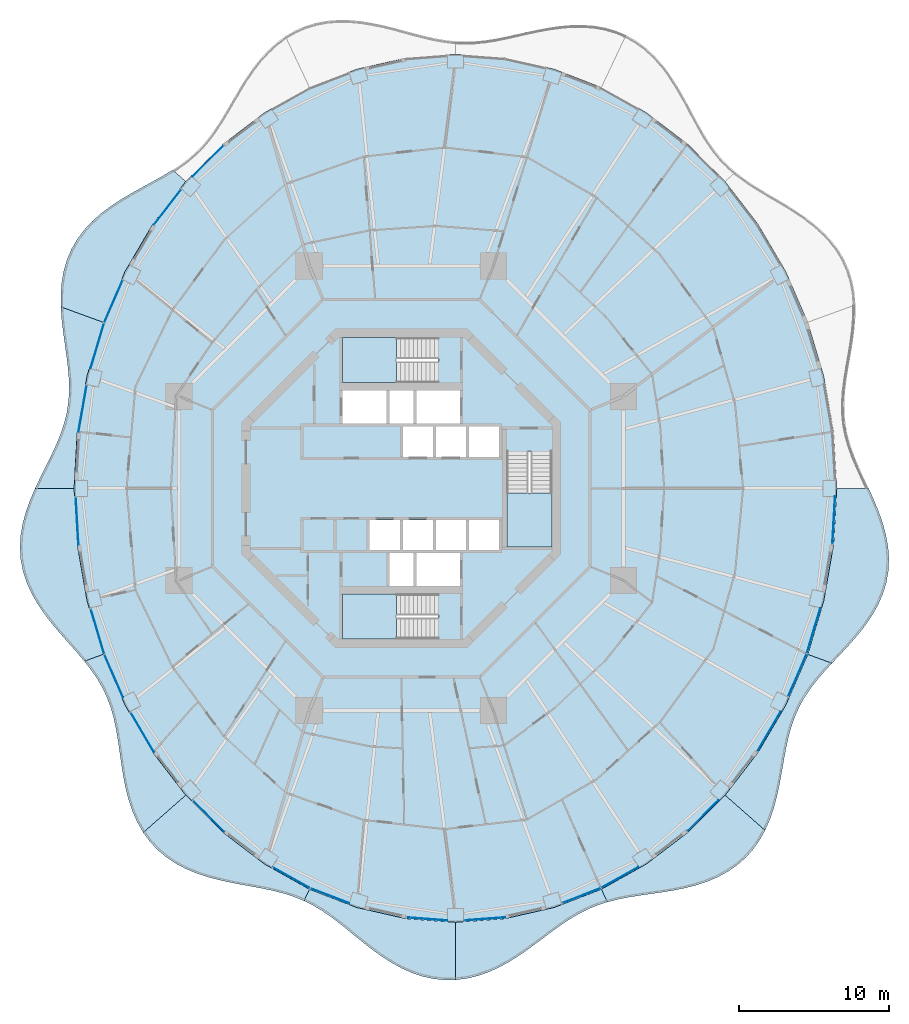
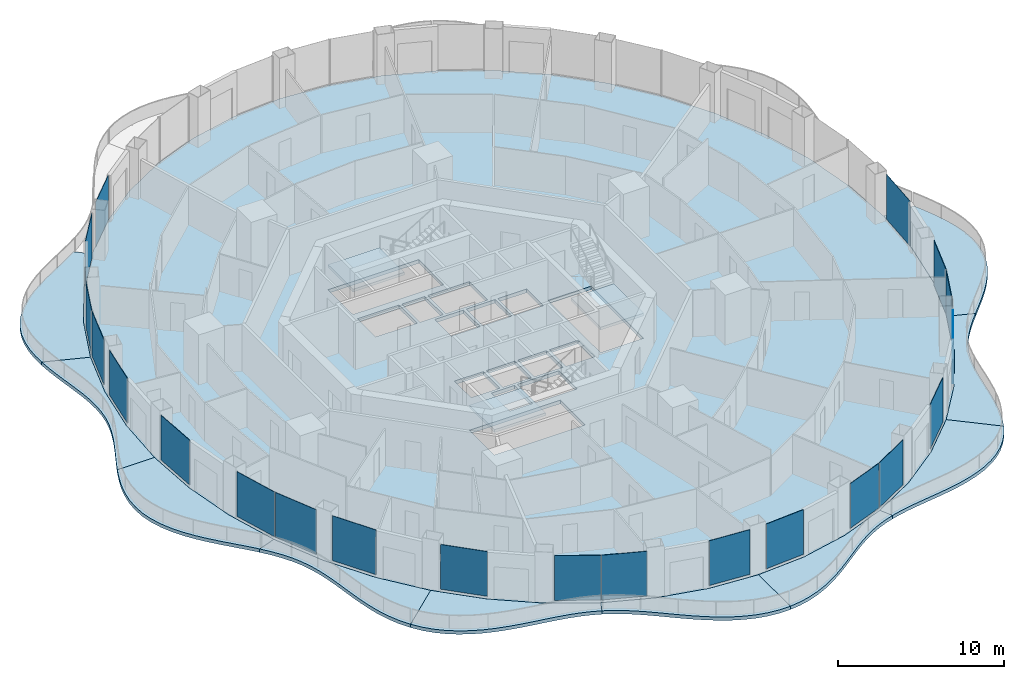
# One storey, part 9 of 19: 21 plates, 14 slabs, 24 elements without a shape of their own.
"""IFC4 building model written with IfcOpenShell, lengths in metres."""

import ifcopenshell
import ifcopenshell.guid

model = None  # the IFC model being written
_history = None  # IfcOwnerHistory: only IFC2X3 demands one
_inside = {}  # id of a spatial element -> (the spatial element, [elements in it])
_under = {}  # id of a project, library or spatial element -> (it, [spatial elements below it])
_declared = {}  # id of a project -> (the project, [libraries it declares])
_typed = {}  # id of a type object -> (the type object, [elements of that type])
_made_of = {}  # id of a material, layer set ... -> (it, [elements and type objects made of it])


def new_model(schema):
    """Start an empty IFC model of exactly this schema.

    Asked for "IFC4X3", IfcOpenShell would pick the latest addendum, in which some entities
    have other attributes; the version numbers below select the first issue.
    IFC2X3 requires an IfcOwnerHistory on every rooted entity: one is made here for all.
    """
    global model, _history
    if schema == "IFC4X3":
        model = ifcopenshell.file(schema_version=(4, 3, 0, 0))
    else:
        model = ifcopenshell.file(schema=schema)
    _inside.clear()
    _under.clear()
    _declared.clear()
    _typed.clear()
    _made_of.clear()
    _history = None
    if model.schema == "IFC2X3":
        org = make("IfcOrganization", Name="unknown")
        user = make(
            "IfcPersonAndOrganization",
            ThePerson=make("IfcPerson", FamilyName="unknown"),
            TheOrganization=org,
        )
        app = make(
            "IfcApplication",
            ApplicationDeveloper=org,
            Version="unknown",
            ApplicationFullName="unknown",
            ApplicationIdentifier="unknown",
        )
        _history = make(
            "IfcOwnerHistory",
            OwningUser=user,
            OwningApplication=app,
            ChangeAction="ADDED",
            CreationDate=0,
        )
    return model


def make(cls, **values):
    """One entity of the class cls with the attributes given. An attribute that is None is left unset."""
    return model.create_entity(
        cls, **{name: value for name, value in values.items() if value is not None}
    )


def rooted(cls, **values):
    """An entity with a GlobalId (a new one), such as an element, a storey or a relation."""
    return make(cls, GlobalId=ifcopenshell.guid.new(), OwnerHistory=_history, **values)


def si_unit(unit_type, name, prefix=None):
    """IfcSIUnit, for example si_unit("LENGTHUNIT", "METRE", prefix="MILLI")."""
    return make("IfcSIUnit", UnitType=unit_type, Prefix=prefix, Name=name)


def assignment(units):
    """IfcUnitAssignment: the units of a project."""
    return None if units is None else make("IfcUnitAssignment", Units=units)


def point(xyz):
    """IfcCartesianPoint."""
    return None if xyz is None else make("IfcCartesianPoint", Coordinates=xyz)


def direction(xyz):
    """IfcDirection."""
    return None if xyz is None else make("IfcDirection", DirectionRatios=xyz)


def frame(location, z_axis=None, x_axis=None):
    """IfcAxis2Placement3D, a coordinate frame: its origin and axes. An axis left out is left unset."""
    return make(
        "IfcAxis2Placement3D",
        Location=point(location),
        Axis=direction(z_axis),
        RefDirection=direction(x_axis),
    )


def frame_2d(location, x_axis=None):
    """IfcAxis2Placement2D, a coordinate frame in the plane: its origin and x axis."""
    return make(
        "IfcAxis2Placement2D", Location=point(location), RefDirection=direction(x_axis)
    )


def origin():
    """The frame at (0, 0, 0) with its axes left unset."""
    return frame((0.0, 0.0, 0.0))


def origin_2d():
    """The frame at (0, 0) in the plane with its x axis left unset."""
    return frame_2d((0.0, 0.0))


def place(relative_to, where):
    """IfcLocalPlacement: puts the frame where relative to a parent placement (None: the world)."""
    return make(
        "IfcLocalPlacement", PlacementRelTo=relative_to, RelativePlacement=where
    )


def context(
    kind, dimensions, precision=None, world=None, true_north=None, identifier=None
):
    """IfcGeometricRepresentationContext, for example the 3D "Model" context."""
    return make(
        "IfcGeometricRepresentationContext",
        ContextIdentifier=identifier,
        ContextType=kind,
        CoordinateSpaceDimension=dimensions,
        Precision=precision,
        WorldCoordinateSystem=world,
        TrueNorth=true_north,
    )


def subcontext(parent, identifier, kind, view, scale=None):
    """IfcGeometricRepresentationSubContext, for example "Body" below "Model"."""
    return make(
        "IfcGeometricRepresentationSubContext",
        ContextIdentifier=identifier,
        ContextType=kind,
        ParentContext=parent,
        TargetScale=scale,
        TargetView=view,
    )


def project(units=None, contexts=None):
    """IfcProject with its units and contexts."""
    return rooted(
        "IfcProject",
        Name="project",
        RepresentationContexts=contexts,
        UnitsInContext=assignment(units),
    )


def spatial(cls, under=None, at=None, **own):
    """A site, building, storey or space (cls), placed at a placement, below another one or the project."""
    s = rooted(cls, ObjectPlacement=at, **own)
    if under is not None:
        _under.setdefault(under.id(), (under, []))[1].append(s)
    return s


def polyline(points):
    """IfcPolyline through the points."""
    return make("IfcPolyline", Points=[point(p) for p in points])


def profile(cls, at=None, kind="AREA", **sizes):
    """A parametric profile (cls). Its sizes go by their IFC names, for example OverallWidth=200.0."""
    return make(cls, ProfileType=kind, Position=at, **sizes)


def rectangle(**sizes):
    """IfcRectangleProfileDef."""
    return profile("IfcRectangleProfileDef", **sizes)


def outline(outer, holes=None, kind="AREA"):
    """IfcArbitraryClosedProfileDef: a profile drawn as a closed curve; with holes, ...WithVoids."""
    if holes is None:
        return make("IfcArbitraryClosedProfileDef", ProfileType=kind, OuterCurve=outer)
    return make(
        "IfcArbitraryProfileDefWithVoids",
        ProfileType=kind,
        OuterCurve=outer,
        InnerCurves=holes,
    )


def extrude(swept, where, along, depth):
    """IfcExtrudedAreaSolid: the profile swept, set in the frame where, extruded along a direction by depth."""
    return make(
        "IfcExtrudedAreaSolid",
        SweptArea=swept,
        Position=where,
        ExtrudedDirection=direction(along),
        Depth=depth,
    )


def shape(context_of_items, identifier, shape_type, items):
    """IfcShapeRepresentation: the items that make up one representation, for example the "Body"."""
    return make(
        "IfcShapeRepresentation",
        ContextOfItems=context_of_items,
        RepresentationIdentifier=identifier,
        RepresentationType=shape_type,
        Items=items,
    )


def material(Name=None, Category=None):
    """IfcMaterial."""
    return make("IfcMaterial", Name=Name, Category=Category)


def layer(
    of_material, thickness, ventilated=None, Name=None, Category=None, Priority=None
):
    """IfcMaterialLayer: one layer of a wall or slab, of a material (None: an air gap)."""
    return make(
        "IfcMaterialLayer",
        Material=of_material,
        LayerThickness=thickness,
        IsVentilated=ventilated,
        Name=Name,
        Category=Category,
        Priority=Priority,
    )


def layer_set(layers, Name=None):
    """IfcMaterialLayerSet."""
    return make("IfcMaterialLayerSet", MaterialLayers=layers, LayerSetName=Name)


def made_of(thing, what):
    """Note that an element or type object is made of a material, layer set ...; save() writes the relation."""
    if what is not None:
        _made_of.setdefault(what.id(), (what, []))[1].append(thing)
    return thing


def type_object(cls, material=None, **own):
    """A type object (cls), such as IfcWallType, which elements share."""
    return made_of(rooted(cls, **own), material)


def element(
    cls,
    number,
    at=None,
    inside=None,
    cuts=None,
    type_object=None,
    material=None,
    context=None,
    identifier="Body",
    shape_type=None,
    held_by="IfcProductDefinitionShape",
    body=None,
    shapes=None,
    **own,
):
    """One element of the class cls, such as IfcWall. Its Tag is "e" and its number.

    at: its placement. inside: the storey or other place that contains it. cuts: it is an
    opening in that element (IfcRelVoidsElement). A single representation is given by context,
    identifier, shape_type and body (its items); several are given by shapes. held_by: the class
    of the entity that holds the representations. save() writes the other relations.
    """
    e = rooted(cls, Tag="e%d" % number, ObjectPlacement=at, **own)
    if body is not None:
        shapes = [shape(context, identifier, shape_type, body)]
    if shapes is not None:
        e.Representation = make(held_by, Representations=shapes)
    if inside is not None:
        _inside.setdefault(inside.id(), (inside, []))[1].append(e)
    if cuts is not None:
        rooted(
            "IfcRelVoidsElement", RelatingBuildingElement=cuts, RelatedOpeningElement=e
        )
    if type_object is not None:
        _typed.setdefault(type_object.id(), (type_object, []))[1].append(e)
    return made_of(e, material)


def aggregate(whole, parts):
    """IfcRelAggregates: a whole, such as a stair, and the parts it consists of."""
    return rooted("IfcRelAggregates", RelatingObject=whole, RelatedObjects=parts)


def save(model, path):
    """Write the relations noted so far, then the file.

    IfcRelAggregates (storeys below a building ...), IfcRelContainedInSpatialStructure (elements
    in a storey), IfcRelDefinesByType, IfcRelAssociatesMaterial and IfcRelDeclares: one each for
    every whole, place, type object, material and project.
    """
    for whole, parts in _under.values():
        aggregate(whole, parts)
    for where, things in _inside.values():
        rooted(
            "IfcRelContainedInSpatialStructure",
            RelatedElements=things,
            RelatingStructure=where,
        )
    for kind, things in _typed.values():
        rooted("IfcRelDefinesByType", RelatedObjects=things, RelatingType=kind)
    for what, things in _made_of.values():
        rooted("IfcRelAssociatesMaterial", RelatedObjects=things, RelatingMaterial=what)
    for by, libraries in _declared.values():
        rooted("IfcRelDeclares", RelatingContext=by, RelatedDefinitions=libraries)
    model.write(path)


model = new_model("IFC4")

# Units and contexts
model_context = context("Model", 3, precision=1e-05, world=origin(), true_north=direction((0.0, 1.0)))
body_context = subcontext(model_context, "Body", "Model", "MODEL_VIEW")
ifc_project = project(units=[si_unit("LENGTHUNIT", "METRE"), si_unit("AREAUNIT", "SQUARE_METRE"), si_unit("VOLUMEUNIT", "CUBIC_METRE"), si_unit("PLANEANGLEUNIT", "RADIAN"), si_unit("MASSUNIT", "GRAM", prefix="KILO")], contexts=[model_context])

# Site, building, storey
site_placement = place(None, origin())
site = spatial("IfcSite", under=ifc_project, at=site_placement, CompositionType="ELEMENT")
building_placement = place(site_placement, origin())
building = spatial("IfcBuilding", under=site, at=building_placement, Name="Nagisa Residences", CompositionType="ELEMENT")
storey_placement = place(building_placement, frame((0.0, 0.0, 199.199951171875)))
storey = spatial("IfcBuildingStorey", under=building, at=storey_placement, Name="L50", CompositionType="ELEMENT", Elevation=199.199951171875)

# Slabs
ifc_material_1 = material(Name="Concrete C40/50", Category="concrete")
ifc_layer_1 = layer(ifc_material_1, 0.25)
ifc_layer_set_1 = layer_set([ifc_layer_1], Name="BALCONY SLAB 250")
slab_type_1 = type_object("IfcSlabType", Name="BALCONY SLAB 250", PredefinedType="FLOOR", material=ifc_layer_set_1)
slab_1_placement = place(storey_placement, frame((0.0, 0.0, -0.25)))
element("IfcSlab", 1, at=slab_1_placement, inside=storey, type_object=slab_type_1, Name="slab:L50:bal06", PredefinedType="FLOOR", context=body_context, shape_type="SweptSolid", body=[
    extrude(outline(polyline([(-15.212890625, 21.182373046875), (-15.856201171875, 20.79248046875), (-16.53125, 20.413330078125), (-17.228271484375, 20.033203125), (-17.934814453125, 19.640869140625), (-18.636962890625, 19.226318359375), (-19.319580078125, 18.780029296875), (-19.967529296875, 18.294677734375), (-20.566162109375, 17.765380859375), (-21.102783203125, 17.189453125), (-21.566650390625, 16.56591796875), (-21.9501953125, 15.8974609375), (-22.249267578125, 15.187744140625), (-22.463623046875, 14.44287109375), (-22.5966796875, 13.669677734375), (-22.655029296875, 12.87646484375), (-22.64990234375, 12.071533203125), (-19.843505859375, 11.050048828125), (-18.37548828125, 14.4375), (-16.53125, 17.577880859375), (-14.3427734375, 20.417724609375), (-15.212890625, 21.182373046875)])), origin(), (0.0, 0.0, 1.0), 0.25),
])
slab_2_placement = place(storey_placement, frame((0.0, 0.0, -0.25)))
element("IfcSlab", 2, at=slab_2_placement, inside=storey, type_object=slab_type_1, Name="slab:L50:bal07", PredefinedType="FLOOR", context=body_context, shape_type="SweptSolid", body=[
    extrude(outline(polyline([(-22.64990234375, 12.071533203125), (-22.591552734375, 11.237060546875), (-22.496337890625, 10.40625), (-22.382568359375, 9.58642578125), (-22.26904296875, 8.7822265625), (-22.173583984375, 7.996826171875), (-22.1123046875, 7.23193359375), (-22.09912109375, 6.486328125), (-22.1435546875, 5.7578125), (-22.251708984375, 5.04248046875), (-22.424560546875, 4.335693359375), (-22.6591796875, 3.63232421875), (-22.947509765625, 2.926513671875), (-23.27783203125, 2.2138671875), (-23.635498046875, 1.489990234375), (-24.00244140625, 0.75244140625), (-24.359619140625, 0.0), (-21.77490234375, 0.0), (-21.557861328125, 3.76904296875), (-20.910400390625, 7.473388671875), (-19.843505859375, 11.050048828125), (-22.64990234375, 12.071533203125)])), origin(), (0.0, 0.0, 1.0), 0.25),
])
slab_3_placement = place(storey_placement, frame((0.0, 0.0, -0.25)))
element("IfcSlab", 3, at=slab_3_placement, inside=storey, type_object=slab_type_1, Name="slab:L50:bal08", PredefinedType="FLOOR", context=body_context, shape_type="SweptSolid", body=[
    extrude(outline(polyline([(-24.359619140625, 0.0), (-24.68798828125, -0.767333984375), (-24.968505859375, -1.54736328125), (-25.184326171875, -2.336669921875), (-25.3212890625, -3.130859375), (-25.369140625, -3.92431640625), (-25.321044921875, -4.71142578125), (-25.175048828125, -5.486328125), (-24.934326171875, -6.243408203125), (-24.605712890625, -6.97900390625), (-24.20068359375, -7.68994140625), (-23.7333984375, -8.375), (-23.220947265625, -9.03515625), (-22.681884765625, -9.673095703125), (-22.134765625, -10.292724609375), (-21.59814453125, -10.900390625), (-21.08837890625, -11.503173828125), (-19.843505859375, -11.050048828125), (-20.910400390625, -7.473388671875), (-21.557861328125, -3.76904296875), (-21.77490234375, 0.0), (-24.359619140625, 0.0)])), origin(), (0.0, 0.0, 1.0), 0.25),
])
slab_4_placement = place(storey_placement, frame((0.0, 0.0, -0.25)))
element("IfcSlab", 4, at=slab_4_placement, inside=storey, type_object=slab_type_1, Name="slab:L50:bal09", PredefinedType="FLOOR", context=body_context, shape_type="SweptSolid", body=[
    extrude(outline(polyline([(-21.08837890625, -11.503173828125), (-20.6328125, -12.08984375), (-20.22509765625, -12.686279296875), (-19.870849609375, -13.29931640625), (-19.572265625, -13.934814453125), (-19.327880859375, -14.597412109375), (-19.13232421875, -15.28955078125), (-18.976806640625, -16.01171875), (-18.849853515625, -16.76220703125), (-18.73779296875, -17.537109375), (-18.6259765625, -18.329833984375), (-18.498779296875, -19.1318359375), (-18.341552734375, -19.933349609375), (-18.140380859375, -20.72265625), (-17.8837890625, -21.48828125), (-17.5625, -22.21875), (-17.1708984375, -22.903076171875), (-14.3427734375, -20.417724609375), (-16.53125, -17.577880859375), (-18.37548828125, -14.4375), (-19.843505859375, -11.050048828125), (-21.08837890625, -11.503173828125)])), origin(), (0.0, 0.0, 1.0), 0.25),
])
slab_5_placement = place(storey_placement, frame((0.0, 0.0, -0.25)))
element("IfcSlab", 5, at=slab_5_placement, inside=storey, type_object=slab_type_1, Name="slab:L50:bal10", PredefinedType="FLOOR", context=body_context, shape_type="SweptSolid", body=[
    extrude(outline(polyline([(-17.1708984375, -22.903076171875), (-16.729736328125, -23.50341796875), (-16.22265625, -24.04736328125), (-15.653564453125, -24.530029296875), (-15.02783203125, -24.94970703125), (-14.353759765625, -25.307373046875), (-13.640869140625, -25.6064453125), (-12.8994140625, -25.85302734375), (-12.140625, -26.054931640625), (-11.37548828125, -26.222900390625), (-10.61376953125, -26.36865234375), (-9.864501953125, -26.504150390625), (-9.134521484375, -26.642578125), (-8.4287109375, -26.7958984375), (-7.75, -26.975341796875), (-7.098876953125, -27.18994140625), (-6.47314453125, -27.446533203125), (-6.110595703125, -26.677001953125), (-9.08740234375, -25.006591796875), (-11.847412109375, -22.907958984375), (-14.3427734375, -20.417724609375), (-17.1708984375, -22.903076171875)])), origin(), (0.0, 0.0, 1.0), 0.25),
])
slab_6_placement = place(storey_placement, frame((0.0, 0.0, -0.25)))
element("IfcSlab", 6, at=slab_6_placement, inside=storey, type_object=slab_type_1, Name="slab:L50:bal11", PredefinedType="FLOOR", context=body_context, shape_type="SweptSolid", body=[
    extrude(outline(polyline([(-6.47314453125, -27.446533203125), (-5.891357421875, -27.7373046875), (-5.324951171875, -28.07177734375), (-4.768798828125, -28.44775390625), (-4.21630859375, -28.860595703125), (-3.660888671875, -29.302978515625), (-3.0966796875, -29.764892578125), (-2.517578125, -30.23486328125), (-1.919677734375, -30.69970703125), (-1.299560546875, -31.145751953125), (-0.65576171875, -31.55859375), (0.011474609375, -31.92529296875), (0.700927734375, -32.233154296875), (1.409423828125, -32.47216796875), (2.13232421875, -32.6337890625), (2.864501953125, -32.712646484375), (3.60009765625, -32.70654296875), (3.60009765625, -28.875), (0.287841796875, -28.6279296875), (-2.967529296875, -27.89111328125), (-6.110595703125, -26.677001953125), (-6.47314453125, -27.446533203125)])), origin(), (0.0, 0.0, 1.0), 0.25),
])
slab_7_placement = place(storey_placement, frame((0.0, 0.0, -0.25)))
element("IfcSlab", 7, at=slab_7_placement, inside=storey, type_object=slab_type_1, Name="slab:L50:bal12", PredefinedType="FLOOR", context=body_context, shape_type="SweptSolid", body=[
    extrude(outline(polyline([(3.60009765625, -32.70654296875), (4.332763671875, -32.615966796875), (5.056884765625, -32.444580078125), (5.767578125, -32.198974609375), (6.4599609375, -31.888671875), (7.1318359375, -31.524658203125), (7.78125, -31.119873046875), (8.408935546875, -30.6884765625), (9.01611328125, -30.244140625), (9.606201171875, -29.80078125), (10.183837890625, -29.370849609375), (10.75439453125, -28.965576171875), (11.32373046875, -28.593505859375), (11.898681640625, -28.26123046875), (12.484619140625, -27.972412109375), (13.0869140625, -27.7275390625), (13.710205078125, -27.524658203125), (13.310546875, -26.677001953125), (10.16748046875, -27.89111328125), (6.912109375, -28.6279296875), (3.60009765625, -28.875), (3.60009765625, -32.70654296875)])), origin(), (0.0, 0.0, 1.0), 0.25),
])
slab_8_placement = place(storey_placement, frame((0.0, 0.0, -0.25)))
element("IfcSlab", 8, at=slab_8_placement, inside=storey, type_object=slab_type_1, Name="slab:L50:bal13", PredefinedType="FLOOR", context=body_context, shape_type="SweptSolid", body=[
    extrude(outline(polyline([(13.710205078125, -27.524658203125), (14.38134765625, -27.353515625), (15.078857421875, -27.214111328125), (15.8017578125, -27.096923828125), (16.54638671875, -26.98974609375), (17.3076171875, -26.879638671875), (18.078125, -26.754150390625), (18.8486328125, -26.60009765625), (19.609375, -26.406494140625), (20.349365234375, -26.163330078125), (21.058349609375, -25.863037109375), (21.725830078125, -25.500244140625), (22.34326171875, -25.07275390625), (22.9033203125, -24.580322265625), (23.401123046875, -24.0263671875), (23.834228515625, -23.415771484375), (24.203125, -22.755615234375), (21.542724609375, -20.417724609375), (19.04736328125, -22.907958984375), (16.28759765625, -25.006591796875), (13.310546875, -26.677001953125), (13.710205078125, -27.524658203125)])), origin(), (0.0, 0.0, 1.0), 0.25),
])
slab_9_placement = place(storey_placement, frame((0.0, 0.0, -0.25)))
element("IfcSlab", 9, at=slab_9_placement, inside=storey, type_object=slab_type_1, Name="slab:L50:bal14", PredefinedType="FLOOR", context=body_context, shape_type="SweptSolid", body=[
    extrude(outline(polyline([(24.203125, -22.755615234375), (24.524658203125, -22.019775390625), (24.78515625, -21.251220703125), (24.9951171875, -20.461669921875), (25.166015625, -19.663330078125), (25.31201171875, -18.86767578125), (25.447998046875, -18.08447265625), (25.5888671875, -17.322265625), (25.749267578125, -16.586669921875), (25.94189453125, -15.881591796875), (26.177001953125, -15.2080078125), (26.46240234375, -14.56494140625), (26.802001953125, -13.94873046875), (27.196044921875, -13.354736328125), (27.641357421875, -12.776123046875), (28.130859375, -12.20556640625), (28.653564453125, -11.635986328125), (27.04345703125, -11.050048828125), (25.575439453125, -14.4375), (23.7314453125, -17.577880859375), (21.542724609375, -20.417724609375), (24.203125, -22.755615234375)])), origin(), (0.0, 0.0, 1.0), 0.25),
])
slab_10_placement = place(storey_placement, frame((0.0, 0.0, -0.25)))
element("IfcSlab", 10, at=slab_10_placement, inside=storey, type_object=slab_type_1, Name="slab:L50:bal15", PredefinedType="FLOOR", context=body_context, shape_type="SweptSolid", body=[
    extrude(outline(polyline([(28.653564453125, -11.635986328125), (29.2138671875, -11.041259765625), (29.77880859375, -10.43212890625), (30.330078125, -9.802978515625), (30.8486328125, -9.14892578125), (31.316650390625, -8.468017578125), (31.718017578125, -7.759521484375), (32.0390625, -7.02490234375), (32.27001953125, -6.26708984375), (32.40478515625, -5.49072265625), (32.4423828125, -4.701171875), (32.385986328125, -3.90478515625), (32.243408203125, -3.10693359375), (32.0263671875, -2.313720703125), (31.749755859375, -1.529296875), (31.431396484375, -0.757568359375), (31.09033203125, 0.0), (28.97509765625, 0.0), (28.7578125, -3.76904296875), (28.1103515625, -7.473388671875), (27.04345703125, -11.050048828125), (28.653564453125, -11.635986328125)])), origin(), (0.0, 0.0, 1.0), 0.25),
])

# Curtain wall, plate
ifc_material_2 = material(Name="Concrete-coloured aluminium curtain wall system", Category="concrete")
ifc_layer_2 = layer(ifc_material_2, 0.159912109375)
ifc_layer_set_2 = layer_set([ifc_layer_2], Name="CW1 CURTAIN WALL")
curtain_wall_type = type_object("IfcCurtainWallType", Name="CW1 CURTAIN WALL", PredefinedType="NOTDEFINED", material=ifc_layer_set_2)
curtain_wall_1_placement = place(storey_placement, origin())
curtain_wall_1 = element("IfcCurtainWall", 11, at=curtain_wall_1_placement, inside=storey, type_object=curtain_wall_type, Name="cw:CW1:L50:17", PredefinedType="NOTDEFINED")
ifc_material_3 = material(Name="Clear laminated glass", Category="glass")
ifc_layer_3 = layer(ifc_material_3, 0.028076171875)
ifc_layer_set_3 = layer_set([ifc_layer_3], Name="CW1 GLASS PANEL")
plate_type = type_object("IfcPlateType", Name="CW1 GLASS PANEL", PredefinedType="CURTAIN_PANEL", material=ifc_layer_set_3)
plate_1_placement = place(storey_placement, frame((-12.865234375, 21.779296875, 0.150146484375), z_axis=(0.0, 0.0, 1.0), x_axis=(-0.707835924016, -0.706376885714, 0.0)))
plate_1 = element("IfcPlate", 12, at=plate_1_placement, type_object=plate_type, Name="CW1 panel", PredefinedType="CURTAIN_PANEL", context=body_context, shape_type="SweptSolid", body=[
    extrude(rectangle(XDim=2.91552734375, YDim=0.028076171875, at=origin_2d()), origin(), (0.0, 0.0, 1.0), 3.2900390625),
])
aggregate(curtain_wall_1, [plate_1])

curtain_wall_2_placement = place(storey_placement, origin())
curtain_wall_2 = element("IfcCurtainWall", 13, at=curtain_wall_2_placement, inside=storey, type_object=curtain_wall_type, Name="cw:CW1:L50:18", PredefinedType="NOTDEFINED")
plate_2_placement = place(storey_placement, frame((-15.559814453125, 18.70751953125, 0.150146484375), z_axis=(0.0, 0.0, 1.0), x_axis=(-0.610429828235, -0.792070340816, 0.0)))
plate_2 = element("IfcPlate", 14, at=plate_2_placement, type_object=plate_type, Name="CW1 panel", PredefinedType="CURTAIN_PANEL", context=body_context, shape_type="SweptSolid", body=[
    extrude(rectangle(XDim=2.97509765625, YDim=0.028076171875, at=origin_2d()), origin(), (0.0, 0.0, 1.0), 3.2900390625),
])
aggregate(curtain_wall_2, [plate_2])

curtain_wall_3_placement = place(storey_placement, origin())
curtain_wall_3 = element("IfcCurtainWall", 15, at=curtain_wall_3_placement, inside=storey, type_object=curtain_wall_type, Name="cw:CW1:L50:20", PredefinedType="NOTDEFINED")
plate_3_placement = place(storey_placement, frame((-19.1572265625, 12.43212890625, 0.150146484375), z_axis=(0.0, 0.0, 1.0), x_axis=(-0.397635934147, -0.917543276295, 0.0)))
plate_3 = element("IfcPlate", 16, at=plate_3_placement, type_object=plate_type, Name="CW1 panel", PredefinedType="CURTAIN_PANEL", context=body_context, shape_type="SweptSolid", body=[
    extrude(rectangle(XDim=3.08203125, YDim=0.028076171875, at=origin_2d()), origin(), (0.0, 0.0, 1.0), 3.2900390625),
])
aggregate(curtain_wall_3, [plate_3])

curtain_wall_4_placement = place(storey_placement, origin())
curtain_wall_4 = element("IfcCurtainWall", 17, at=curtain_wall_4_placement, inside=storey, type_object=curtain_wall_type, Name="cw:CW1:L50:21", PredefinedType="NOTDEFINED")
plate_4_placement = place(storey_placement, frame((-20.230224609375, 9.4736328125, 0.150146484375), z_axis=(0.0, 0.0, 1.0), x_axis=(-0.285860274038, -0.958271310082, 0.0)))
plate_4 = element("IfcPlate", 18, at=plate_4_placement, type_object=plate_type, Name="CW1 panel", PredefinedType="CURTAIN_PANEL", context=body_context, shape_type="SweptSolid", body=[
    extrude(rectangle(XDim=3.122314453125, YDim=0.028076171875, at=origin_2d()), origin(), (0.0, 0.0, 1.0), 3.2900390625),
])
aggregate(curtain_wall_4, [plate_4])

curtain_wall_5_placement = place(storey_placement, origin())
curtain_wall_5 = element("IfcCurtainWall", 19, at=curtain_wall_5_placement, inside=storey, type_object=curtain_wall_type, Name="cw:CW1:L50:22", PredefinedType="NOTDEFINED")
plate_5_placement = place(storey_placement, frame((-21.207763671875, 5.306884765625, 0.150146484375), z_axis=(0.0, 0.0, 1.0), x_axis=(-0.172190868898, -0.985063604377, 0.0)))
plate_5 = element("IfcPlate", 20, at=plate_5_placement, type_object=plate_type, Name="CW1 panel", PredefinedType="CURTAIN_PANEL", context=body_context, shape_type="SweptSolid", body=[
    extrude(rectangle(XDim=3.150634765625, YDim=0.028076171875, at=origin_2d()), origin(), (0.0, 0.0, 1.0), 3.2900390625),
])
aggregate(curtain_wall_5, [plate_5])

curtain_wall_6_placement = place(storey_placement, origin())
curtain_wall_6 = element("IfcCurtainWall", 21, at=curtain_wall_6_placement, inside=storey, type_object=curtain_wall_type, Name="cw:CW1:L50:24", PredefinedType="NOTDEFINED")
plate_6_placement = place(storey_placement, frame((-21.569091796875, -2.184326171875, 0.150146484375), z_axis=(0.0, 0.0, 1.0), x_axis=(0.057503492216, -0.998345305184, 0.0)))
plate_6 = element("IfcPlate", 22, at=plate_6_placement, type_object=plate_type, Name="CW1 panel", PredefinedType="CURTAIN_PANEL", context=body_context, shape_type="SweptSolid", body=[
    extrude(rectangle(XDim=3.165283203125, YDim=0.028076171875, at=origin_2d()), origin(), (0.0, 0.0, 1.0), 3.2900390625),
])
aggregate(curtain_wall_6, [plate_6])

curtain_wall_7_placement = place(storey_placement, origin())
curtain_wall_7 = element("IfcCurtainWall", 23, at=curtain_wall_7_placement, inside=storey, type_object=curtain_wall_type, Name="cw:CW1:L50:26", PredefinedType="NOTDEFINED")
plate_7_placement = place(storey_placement, frame((-20.213134765625, -9.531005859375, 0.150146484375), z_axis=(0.0, 0.0, 1.0), x_axis=(0.285860274038, -0.958271310082, 0.0)))
plate_7 = element("IfcPlate", 24, at=plate_7_placement, type_object=plate_type, Name="CW1 panel", PredefinedType="CURTAIN_PANEL", context=body_context, shape_type="SweptSolid", body=[
    extrude(rectangle(XDim=3.122314453125, YDim=0.028076171875, at=origin_2d()), origin(), (0.0, 0.0, 1.0), 3.2900390625),
])
aggregate(curtain_wall_7, [plate_7])

curtain_wall_8_placement = place(storey_placement, origin())
curtain_wall_8 = element("IfcCurtainWall", 25, at=curtain_wall_8_placement, inside=storey, type_object=curtain_wall_type, Name="cw:CW1:L50:27", PredefinedType="NOTDEFINED")
plate_8_placement = place(storey_placement, frame((-19.133544921875, -12.487060546875, 0.150146484375), z_axis=(0.0, 0.0, 1.0), x_axis=(0.397635934147, -0.917543276295, 0.0)))
plate_8 = element("IfcPlate", 26, at=plate_8_placement, type_object=plate_type, Name="CW1 panel", PredefinedType="CURTAIN_PANEL", context=body_context, shape_type="SweptSolid", body=[
    extrude(rectangle(XDim=3.08203125, YDim=0.028076171875, at=origin_2d()), origin(), (0.0, 0.0, 1.0), 3.2900390625),
])
aggregate(curtain_wall_8, [plate_8])

curtain_wall_9_placement = place(storey_placement, origin())
curtain_wall_9 = element("IfcCurtainWall", 27, at=curtain_wall_9_placement, inside=storey, type_object=curtain_wall_type, Name="cw:CW1:L50:28", PredefinedType="NOTDEFINED")
plate_9_placement = place(storey_placement, frame((-17.22998046875, -16.230224609375, 0.150146484375), z_axis=(0.0, 0.0, 1.0), x_axis=(0.506348567002, -0.862328898214, 0.0)))
plate_9 = element("IfcPlate", 28, at=plate_9_placement, type_object=plate_type, Name="CW1 panel", PredefinedType="CURTAIN_PANEL", context=body_context, shape_type="SweptSolid", body=[
    extrude(rectangle(XDim=3.031982421875, YDim=0.028076171875, at=origin_2d()), origin(), (0.0, 0.0, 1.0), 3.2900390625),
])
aggregate(curtain_wall_9, [plate_9])

curtain_wall_10_placement = place(storey_placement, origin())
curtain_wall_10 = element("IfcCurtainWall", 29, at=curtain_wall_10_placement, inside=storey, type_object=curtain_wall_type, Name="cw:CW1:L50:30", PredefinedType="NOTDEFINED")
plate_10_placement = place(storey_placement, frame((-12.82275390625, -21.82177734375, 0.150146484375), z_axis=(0.0, 0.0, 1.0), x_axis=(0.707835924016, -0.706376885714, 0.0)))
plate_10 = element("IfcPlate", 30, at=plate_10_placement, type_object=plate_type, Name="CW1 panel", PredefinedType="CURTAIN_PANEL", context=body_context, shape_type="SweptSolid", body=[
    extrude(rectangle(XDim=2.91552734375, YDim=0.028076171875, at=origin_2d()), origin(), (0.0, 0.0, 1.0), 3.2900390625),
])
aggregate(curtain_wall_10, [plate_10])

curtain_wall_11_placement = place(storey_placement, origin())
curtain_wall_11 = element("IfcCurtainWall", 31, at=curtain_wall_11_placement, inside=storey, type_object=curtain_wall_type, Name="cw:CW1:L50:32", PredefinedType="NOTDEFINED")
plate_11_placement = place(storey_placement, frame((-7.2939453125, -25.921142578125, 0.150146484375), z_axis=(0.0, 0.0, 1.0), x_axis=(0.872072377523, -0.489376918501, 0.0)))
plate_11 = element("IfcPlate", 32, at=plate_11_placement, type_object=plate_type, Name="CW1 panel", PredefinedType="CURTAIN_PANEL", context=body_context, shape_type="SweptSolid", body=[
    extrude(rectangle(XDim=2.8037109375, YDim=0.028076171875, at=origin_2d()), origin(), (0.0, 0.0, 1.0), 3.2900390625),
])
aggregate(curtain_wall_11, [plate_11])

curtain_wall_12_placement = place(storey_placement, origin())
curtain_wall_12 = element("IfcCurtainWall", 33, at=curtain_wall_12_placement, inside=storey, type_object=curtain_wall_type, Name="cw:CW1:L50:33", PredefinedType="NOTDEFINED")
plate_12_placement = place(storey_placement, frame((-4.73876953125, -27.12109375, 0.150146484375), z_axis=(0.0, 0.0, 1.0), x_axis=(0.932825759707, -0.360327770268, 0.0)))
plate_12 = element("IfcPlate", 34, at=plate_12_placement, type_object=plate_type, Name="CW1 panel", PredefinedType="CURTAIN_PANEL", context=body_context, shape_type="SweptSolid", body=[
    extrude(rectangle(XDim=2.75927734375, YDim=0.028076171875, at=origin_2d()), origin(), (0.0, 0.0, 1.0), 3.2900390625),
])
aggregate(curtain_wall_12, [plate_12])

curtain_wall_13_placement = place(storey_placement, origin())
curtain_wall_13 = element("IfcCurtainWall", 35, at=curtain_wall_13_placement, inside=storey, type_object=curtain_wall_type, Name="cw:CW1:L50:35", PredefinedType="NOTDEFINED")
plate_13_placement = place(storey_placement, frame((1.70556640625, -28.653564453125, 0.150146484375), z_axis=(0.0, 0.0, 1.0), x_axis=(0.997230168512, -0.074377355493, 0.0)))
plate_13 = element("IfcPlate", 36, at=plate_13_placement, type_object=plate_type, Name="CW1 panel", PredefinedType="CURTAIN_PANEL", context=body_context, shape_type="SweptSolid", body=[
    extrude(rectangle(XDim=2.711181640625, YDim=0.028076171875, at=origin_2d()), origin(), (0.0, 0.0, 1.0), 3.2900390625),
])
aggregate(curtain_wall_13, [plate_13])

curtain_wall_14_placement = place(storey_placement, origin())
curtain_wall_14 = element("IfcCurtainWall", 37, at=curtain_wall_14_placement, inside=storey, type_object=curtain_wall_type, Name="cw:CW1:L50:36", PredefinedType="NOTDEFINED")
plate_14_placement = place(storey_placement, frame((5.55419921875, -28.64892578125, 0.150146484375), z_axis=(0.0, 0.0, 1.0), x_axis=(0.997230168512, 0.074377355493, 0.0)))
plate_14 = element("IfcPlate", 38, at=plate_14_placement, type_object=plate_type, Name="CW1 panel", PredefinedType="CURTAIN_PANEL", context=body_context, shape_type="SweptSolid", body=[
    extrude(rectangle(XDim=2.711181640625, YDim=0.028076171875, at=origin_2d()), origin(), (0.0, 0.0, 1.0), 3.2900390625),
])
aggregate(curtain_wall_14, [plate_14])

curtain_wall_15_placement = place(storey_placement, origin())
curtain_wall_15 = element("IfcCurtainWall", 39, at=curtain_wall_15_placement, inside=storey, type_object=curtain_wall_type, Name="cw:CW1:L50:38", PredefinedType="NOTDEFINED")
plate_15_placement = place(storey_placement, frame((11.99462890625, -27.099609375, 0.150146484375), z_axis=(0.0, 0.0, 1.0), x_axis=(0.932825759707, 0.360327770268, 0.0)))
plate_15 = element("IfcPlate", 40, at=plate_15_placement, type_object=plate_type, Name="CW1 panel", PredefinedType="CURTAIN_PANEL", context=body_context, shape_type="SweptSolid", body=[
    extrude(rectangle(XDim=2.75927734375, YDim=0.028076171875, at=origin_2d()), origin(), (0.0, 0.0, 1.0), 3.2900390625),
])
aggregate(curtain_wall_15, [plate_15])

curtain_wall_16_placement = place(storey_placement, origin())
curtain_wall_16 = element("IfcCurtainWall", 41, at=curtain_wall_16_placement, inside=storey, type_object=curtain_wall_type, Name="cw:CW1:L50:39", PredefinedType="NOTDEFINED")
plate_16_placement = place(storey_placement, frame((14.546142578125, -25.891845703125, 0.150146484375), z_axis=(0.0, 0.0, 1.0), x_axis=(0.872072377523, 0.489376918501, 0.0)))
plate_16 = element("IfcPlate", 42, at=plate_16_placement, type_object=plate_type, Name="CW1 panel", PredefinedType="CURTAIN_PANEL", context=body_context, shape_type="SweptSolid", body=[
    extrude(rectangle(XDim=2.8037109375, YDim=0.028076171875, at=origin_2d()), origin(), (0.0, 0.0, 1.0), 3.2900390625),
])
aggregate(curtain_wall_16, [plate_16])

curtain_wall_17_placement = place(storey_placement, origin())
curtain_wall_17 = element("IfcCurtainWall", 43, at=curtain_wall_17_placement, inside=storey, type_object=curtain_wall_type, Name="cw:CW1:L50:41", PredefinedType="NOTDEFINED")
plate_17_placement = place(storey_placement, frame((20.065185546875, -21.779296875, 0.150146484375), z_axis=(0.0, 0.0, 1.0), x_axis=(0.707835924016, 0.706376885714, 0.0)))
plate_17 = element("IfcPlate", 44, at=plate_17_placement, type_object=plate_type, Name="CW1 panel", PredefinedType="CURTAIN_PANEL", context=body_context, shape_type="SweptSolid", body=[
    extrude(rectangle(XDim=2.91552734375, YDim=0.028076171875, at=origin_2d()), origin(), (0.0, 0.0, 1.0), 3.2900390625),
])
aggregate(curtain_wall_17, [plate_17])

curtain_wall_18_placement = place(storey_placement, origin())
curtain_wall_18 = element("IfcCurtainWall", 45, at=curtain_wall_18_placement, inside=storey, type_object=curtain_wall_type, Name="cw:CW1:L50:43", PredefinedType="NOTDEFINED")
plate_18_placement = place(storey_placement, frame((24.460205078125, -16.178466796875, 0.150146484375), z_axis=(0.0, 0.0, 1.0), x_axis=(0.506348567002, 0.862328898214, 0.0)))
plate_18 = element("IfcPlate", 46, at=plate_18_placement, type_object=plate_type, Name="CW1 panel", PredefinedType="CURTAIN_PANEL", context=body_context, shape_type="SweptSolid", body=[
    extrude(rectangle(XDim=3.031982421875, YDim=0.028076171875, at=origin_2d()), origin(), (0.0, 0.0, 1.0), 3.2900390625),
])
aggregate(curtain_wall_18, [plate_18])

curtain_wall_19_placement = place(storey_placement, origin())
curtain_wall_19 = element("IfcCurtainWall", 47, at=curtain_wall_19_placement, inside=storey, type_object=curtain_wall_type, Name="cw:CW1:L50:44", PredefinedType="NOTDEFINED")
plate_19_placement = place(storey_placement, frame((26.357177734375, -12.43212890625, 0.150146484375), z_axis=(0.0, 0.0, 1.0), x_axis=(0.397635934147, 0.917543276295, 0.0)))
plate_19 = element("IfcPlate", 48, at=plate_19_placement, type_object=plate_type, Name="CW1 panel", PredefinedType="CURTAIN_PANEL", context=body_context, shape_type="SweptSolid", body=[
    extrude(rectangle(XDim=3.08203125, YDim=0.028076171875, at=origin_2d()), origin(), (0.0, 0.0, 1.0), 3.2900390625),
])
aggregate(curtain_wall_19, [plate_19])

curtain_wall_20_placement = place(storey_placement, origin())
curtain_wall_20 = element("IfcCurtainWall", 49, at=curtain_wall_20_placement, inside=storey, type_object=curtain_wall_type, Name="cw:CW1:L50:45", PredefinedType="NOTDEFINED")
plate_20_placement = place(storey_placement, frame((27.43017578125, -9.4736328125, 0.150146484375), z_axis=(0.0, 0.0, 1.0), x_axis=(0.285860274038, 0.958271310082, 0.0)))
plate_20 = element("IfcPlate", 50, at=plate_20_placement, type_object=plate_type, Name="CW1 panel", PredefinedType="CURTAIN_PANEL", context=body_context, shape_type="SweptSolid", body=[
    extrude(rectangle(XDim=3.122314453125, YDim=0.028076171875, at=origin_2d()), origin(), (0.0, 0.0, 1.0), 3.2900390625),
])
aggregate(curtain_wall_20, [plate_20])

curtain_wall_21_placement = place(storey_placement, origin())
curtain_wall_21 = element("IfcCurtainWall", 51, at=curtain_wall_21_placement, inside=storey, type_object=curtain_wall_type, Name="cw:CW1:L50:47", PredefinedType="NOTDEFINED")
plate_21_placement = place(storey_placement, frame((28.7724609375, -2.12451171875, 0.150146484375), z_axis=(0.0, 0.0, 1.0), x_axis=(0.057503492216, 0.998345305184, 0.0)))
plate_21 = element("IfcPlate", 52, at=plate_21_placement, type_object=plate_type, Name="CW1 panel", PredefinedType="CURTAIN_PANEL", context=body_context, shape_type="SweptSolid", body=[
    extrude(rectangle(XDim=3.165283203125, YDim=0.028076171875, at=origin_2d()), origin(), (0.0, 0.0, 1.0), 3.2900390625),
])
aggregate(curtain_wall_21, [plate_21])

# Slab
ifc_material_4 = material(Name="Concrete C40", Category="concrete")
ifc_layer_4 = layer(ifc_material_4, 0.260009765625)
ifc_layer_set_4 = layer_set([ifc_layer_4], Name="Floor slab 260")
slab_type_2 = type_object("IfcSlabType", Name="Floor slab 260", PredefinedType="FLOOR", material=ifc_layer_set_4)
slab_11_placement = place(storey_placement, frame((0.0, 0.0, -0.260009765625)))
element("IfcSlab", 53, at=slab_11_placement, inside=storey, type_object=slab_type_2, Name="slab:L50:floor", PredefinedType="FLOOR", context=body_context, shape_type="SweptSolid", body=[
    extrude(outline(polyline([(28.97509765625, 0.0), (28.7578125, 3.76904296875), (28.1103515625, 7.473388671875), (27.04345703125, 11.050048828125), (25.575439453125, 14.4375), (23.7314453125, 17.577880859375), (21.542724609375, 20.417724609375), (19.04736328125, 22.907958984375), (16.28759765625, 25.006591796875), (13.310546875, 26.677001953125), (10.16748046875, 27.89111328125), (6.912109375, 28.6279296875), (3.60009765625, 28.875), (0.287841796875, 28.6279296875), (-2.967529296875, 27.89111328125), (-6.110595703125, 26.677001953125), (-9.08740234375, 25.006591796875), (-11.847412109375, 22.907958984375), (-14.3427734375, 20.417724609375), (-16.53125, 17.577880859375), (-18.37548828125, 14.4375), (-19.843505859375, 11.050048828125), (-20.910400390625, 7.473388671875), (-21.557861328125, 3.76904296875), (-21.77490234375, 0.0), (-21.557861328125, -3.76904296875), (-20.910400390625, -7.473388671875), (-19.843505859375, -11.050048828125), (-18.37548828125, -14.4375), (-16.53125, -17.577880859375), (-14.3427734375, -20.417724609375), (-11.847412109375, -22.907958984375), (-9.08740234375, -25.006591796875), (-6.110595703125, -26.677001953125), (-2.967529296875, -27.89111328125), (0.287841796875, -28.6279296875), (3.60009765625, -28.875), (6.912109375, -28.6279296875), (10.16748046875, -27.89111328125), (13.310546875, -26.677001953125), (16.28759765625, -25.006591796875), (19.04736328125, -22.907958984375), (21.542724609375, -20.417724609375), (23.7314453125, -17.577880859375), (25.575439453125, -14.4375), (27.04345703125, -11.050048828125), (28.1103515625, -7.473388671875), (28.7578125, -3.76904296875), (28.97509765625, 0.0)]), holes=[polyline([(2.10009765625, 2.10009765625), (2.10009765625, 4.10009765625), (0.10009765625, 4.10009765625), (0.10009765625, 2.10009765625), (2.10009765625, 2.10009765625)]), polyline([(4.300048828125, 2.10009765625), (4.300048828125, 4.10009765625), (2.300048828125, 4.10009765625), (2.300048828125, 2.10009765625), (4.300048828125, 2.10009765625)]), polyline([(6.5, 2.10009765625), (6.5, 4.10009765625), (4.5, 4.10009765625), (4.5, 2.10009765625), (6.5, 2.10009765625)]), polyline([(-0.10009765625, -4.10009765625), (-0.10009765625, -2.10009765625), (-2.10009765625, -2.10009765625), (-2.10009765625, -4.10009765625), (-0.10009765625, -4.10009765625)]), polyline([(2.10009765625, -4.10009765625), (2.10009765625, -2.10009765625), (0.10009765625, -2.10009765625), (0.10009765625, -4.10009765625), (2.10009765625, -4.10009765625)]), polyline([(4.300048828125, -4.10009765625), (4.300048828125, -2.10009765625), (2.300048828125, -2.10009765625), (2.300048828125, -4.10009765625), (4.300048828125, -4.10009765625)]), polyline([(6.5, -4.10009765625), (6.5, -2.10009765625), (4.5, -2.10009765625), (4.5, -4.10009765625), (6.5, -4.10009765625)]), polyline([(3.89990234375, 4.300048828125), (3.89990234375, 6.5), (1.0, 6.5), (1.0, 4.300048828125), (3.89990234375, 4.300048828125)]), polyline([(3.89990234375, -6.5), (3.89990234375, -4.300048828125), (1.0, -4.300048828125), (1.0, -6.5), (3.89990234375, -6.5)]), polyline([(-1.0, 4.300048828125), (-1.0, 6.5), (-3.89990234375, 6.5), (-3.89990234375, 4.300048828125), (-1.0, 4.300048828125)]), polyline([(0.800048828125, 4.300048828125), (0.800048828125, 6.5), (-0.800048828125, 6.5), (-0.800048828125, 4.300048828125), (0.800048828125, 4.300048828125)]), polyline([(0.800048828125, -6.5), (0.800048828125, -4.300048828125), (-0.800048828125, -4.300048828125), (-0.800048828125, -6.5), (0.800048828125, -6.5)]), polyline([(10.024658203125, -3.89990234375), (7.024658203125, -3.89990234375), (7.024658203125, 2.425048828125), (10.024658203125, 2.425048828125), (10.024658203125, -3.89990234375)]), polyline([(-3.89990234375, 7.024658203125), (-3.89990234375, 10.024658203125), (2.425048828125, 10.024658203125), (2.425048828125, 7.024658203125), (-3.89990234375, 7.024658203125)]), polyline([(-3.89990234375, -10.024658203125), (-3.89990234375, -7.024658203125), (2.425048828125, -7.024658203125), (2.425048828125, -10.024658203125), (-3.89990234375, -10.024658203125)])]), origin(), (0.0, 0.0, 1.0), 0.260009765625),
])

# Stair, slab
ifc_material_5 = material(Name="Concrete C60", Category="concrete")
stair_type = type_object("IfcStairType", Name="Exit stair", PredefinedType="HALF_TURN_STAIR", material=ifc_material_5)
stair_1_placement = place(storey_placement, origin())
stair_1 = element("IfcStair", 54, at=stair_1_placement, inside=storey, type_object=stair_type, Name="L50 Exit stair E", PredefinedType="HALF_TURN_STAIR")
ifc_material_6 = material(Name="Concrete C60", Category="concrete")
ifc_layer_5 = layer(ifc_material_6, 0.199951171875)
ifc_layer_set_5 = layer_set([ifc_layer_5], Name="Stair landing")
slab_type_3 = type_object("IfcSlabType", Name="Stair landing", PredefinedType="LANDING", material=ifc_layer_set_5)
slab_12_placement = place(storey_placement, frame((0.0, 0.0, 1.650146484375)))
slab_12 = element("IfcSlab", 55, at=slab_12_placement, type_object=slab_type_3, Name="ST-E landing 1", PredefinedType="LANDING", context=body_context, shape_type="SweptSolid", body=[
    extrude(outline(polyline([(7.024658203125, -0.324951171875), (7.024658203125, -3.89990234375), (10.024658203125, -3.89990234375), (10.024658203125, -0.324951171875), (7.024658203125, -0.324951171875)])), origin(), (0.0, 0.0, 1.0), 0.199951171875),
])
aggregate(stair_1, [slab_12])

stair_2_placement = place(storey_placement, origin())
stair_2 = element("IfcStair", 56, at=stair_2_placement, inside=storey, type_object=stair_type, Name="L50 Exit stair N", PredefinedType="HALF_TURN_STAIR")
slab_13_placement = place(storey_placement, frame((0.0, 0.0, 1.650146484375)))
slab_13 = element("IfcSlab", 57, at=slab_13_placement, type_object=slab_type_3, Name="ST-N landing 1", PredefinedType="LANDING", context=body_context, shape_type="SweptSolid", body=[
    extrude(outline(polyline([(-0.324951171875, 10.024658203125), (-3.89990234375, 10.024658203125), (-3.89990234375, 7.024658203125), (-0.324951171875, 7.024658203125), (-0.324951171875, 10.024658203125)])), origin(), (0.0, 0.0, 1.0), 0.199951171875),
])
aggregate(stair_2, [slab_13])

stair_3_placement = place(storey_placement, origin())
stair_3 = element("IfcStair", 58, at=stair_3_placement, inside=storey, type_object=stair_type, Name="L50 Exit stair S", PredefinedType="HALF_TURN_STAIR")
slab_14_placement = place(storey_placement, frame((0.0, 0.0, 1.650146484375)))
slab_14 = element("IfcSlab", 59, at=slab_14_placement, type_object=slab_type_3, Name="ST-S landing 1", PredefinedType="LANDING", context=body_context, shape_type="SweptSolid", body=[
    extrude(outline(polyline([(-0.324951171875, -7.024658203125), (-3.89990234375, -7.024658203125), (-3.89990234375, -10.024658203125), (-0.324951171875, -10.024658203125), (-0.324951171875, -7.024658203125)])), origin(), (0.0, 0.0, 1.0), 0.199951171875),
])
aggregate(stair_3, [slab_14])

save(model, "model.ifc")
